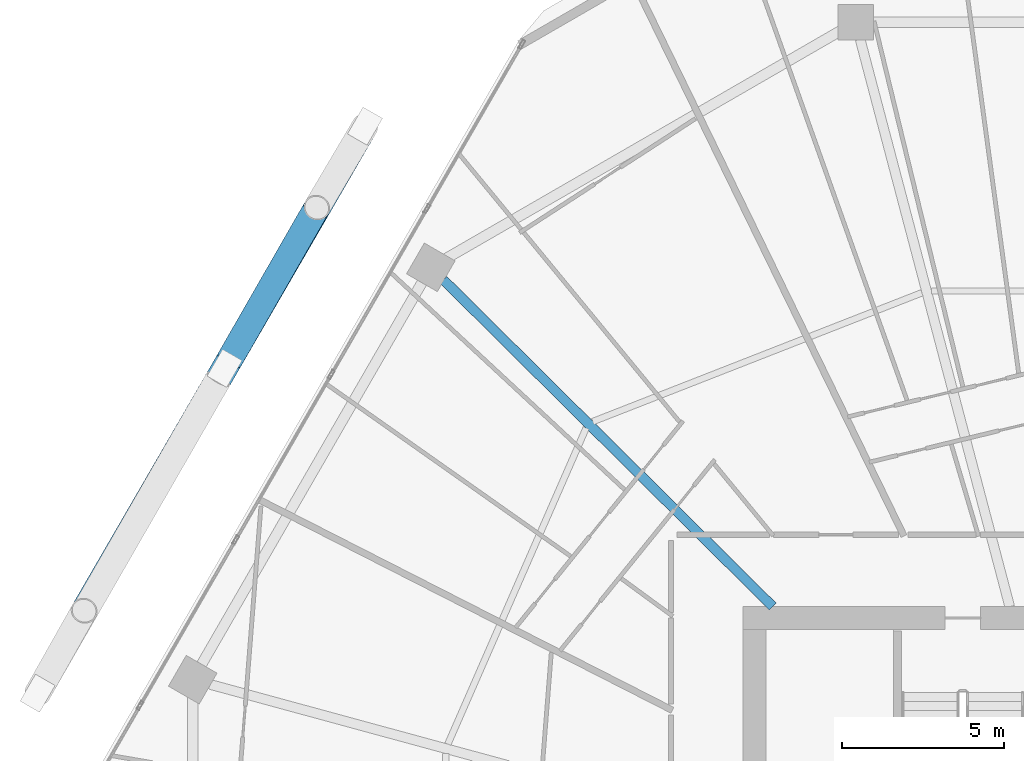
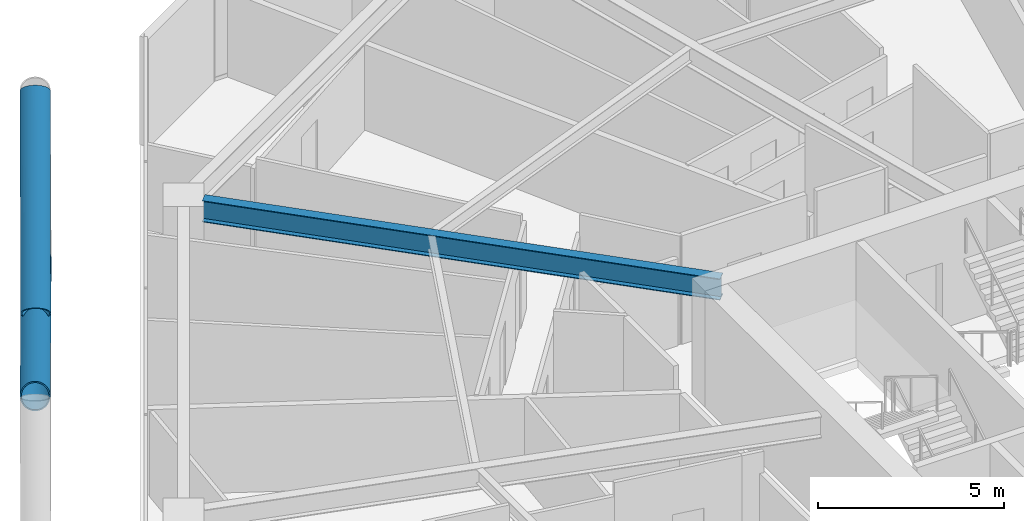
# One storey, part 15 of 35: 2 members, 1 beam.
"""IFC4 building model written with IfcOpenShell, lengths in metres."""

from ifc_helpers import new_model, si_unit, direction, frame, origin, origin_2d, place, context, subcontext, project, spatial, hollow_circle, i_section, extrude, material, material_profile, profile_set, type_object, element, save


model = new_model("IFC4")

# Units and contexts
model_context = context("Model", 3, precision=1e-05, world=origin(), true_north=direction((0.0, 1.0)))
body_context = subcontext(model_context, "Body", "Model", "MODEL_VIEW")
ifc_project = project(units=[si_unit("LENGTHUNIT", "METRE"), si_unit("AREAUNIT", "SQUARE_METRE"), si_unit("VOLUMEUNIT", "CUBIC_METRE"), si_unit("PLANEANGLEUNIT", "RADIAN"), si_unit("MASSUNIT", "GRAM", prefix="KILO")], contexts=[model_context])

# Site, building, storey
site_placement = place(None, origin())
site = spatial("IfcSite", under=ifc_project, at=site_placement, CompositionType="ELEMENT")
building_placement = place(site_placement, origin())
building = spatial("IfcBuilding", under=site, at=building_placement, Name="Zuhravey Tower", CompositionType="ELEMENT")
storey_placement = place(building_placement, frame((0.0, 0.0, 122.800048828125)))
storey = spatial("IfcBuildingStorey", under=building, at=storey_placement, Name="L30", CompositionType="ELEMENT", Elevation=122.800048828125)

# Members
ifc_material_1 = material(Name="Steel SM460", Category="steel")
ifc_material_profile_1 = material_profile(ifc_material_1, hollow_circle(Radius=0.406494140625, WallThickness=0.035888671875, at=origin_2d()), Name="CHS-812.8x36")
ifc_profile_set_1 = profile_set([ifc_material_profile_1], Name="Steel SM460")
member_type = type_object("IfcMemberType", Name="Exoskeleton Zone 1 Diagrid CHS813x36", PredefinedType="BRACE", material=ifc_profile_set_1)
member_1_placement = place(storey_placement, frame((13.41845703125, 56.6845703125, -0.442138671875), z_axis=(-0.459281405283, -0.792316870803, 0.401614948678), x_axis=(0.865155504501, -0.501503691942, 0.0)))
element("IfcMember", 1, at=member_1_placement, inside=storey, type_object=member_type, Name="L30 Face 3 Diagrid Brace 2", PredefinedType="BRACE", context=body_context, shape_type="SweptSolid", body=[
    extrude(hollow_circle(Radius=0.406494140625, WallThickness=0.035888671875, at=origin_2d()), origin(), (0.0, 0.0, 1.0), 18.814453125),
])
member_2_placement = place(storey_placement, frame((9.26220703125, 49.517578125, 3.55517578125), z_axis=(0.414631275395, 0.72252352705, 0.553209416336), x_axis=(-0.867331221622, 0.497731405479, 0.0)))
element("IfcMember", 2, at=member_2_placement, inside=storey, type_object=member_type, Name="L30 Face 3 Split Diagrid Brace 3B", PredefinedType="BRACE", context=body_context, shape_type="SweptSolid", body=[
    extrude(hollow_circle(Radius=0.406494140625, WallThickness=0.035888671875, at=origin_2d()), origin(), (0.0, 0.0, 1.0), 6.41796875),
])

# Beam
ifc_material_2 = material(Name="Steel SM355", Category="steel")
ifc_material_profile_2 = material_profile(ifc_material_2, i_section(OverallWidth=0.300048828125, OverallDepth=0.699951171875, WebThickness=0.012939453125, FlangeThickness=0.02392578125, at=origin_2d()), Name="H-700x300x13x24")
ifc_profile_set_2 = profile_set([ifc_material_profile_2], Name="Steel SM355")
beam_type = type_object("IfcBeamType", Name="Radial Primary Girder H700x300", PredefinedType="BEAM", material=ifc_profile_set_2)
beam_placement = place(storey_placement, frame((26.068603515625, 41.85302734375, 3.199951171875), z_axis=(-0.709906230344, 0.704296204816, 0.0), x_axis=(-0.704296204816, -0.709906230344, 0.0)))
element("IfcBeam", 3, at=beam_placement, inside=storey, type_object=beam_type, Name="L30 RG1 BM-L30-RAD-05", PredefinedType="BEAM", context=body_context, shape_type="SweptSolid", body=[
    extrude(i_section(OverallWidth=0.300048828125, OverallDepth=0.699951171875, WebThickness=0.012939453125, FlangeThickness=0.02392578125, at=origin_2d()), origin(), (0.0, 0.0, 1.0), 14.361083984375),
])

save(model, "model.ifc")
